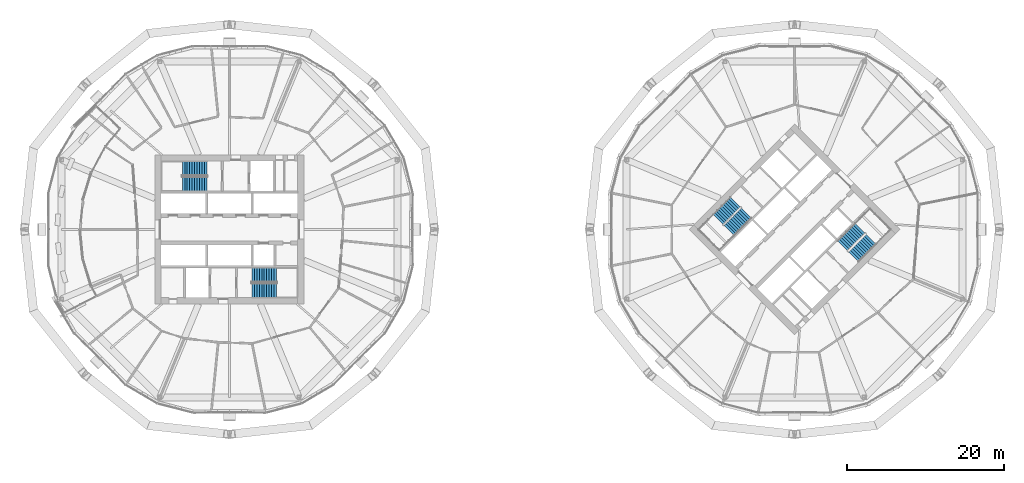
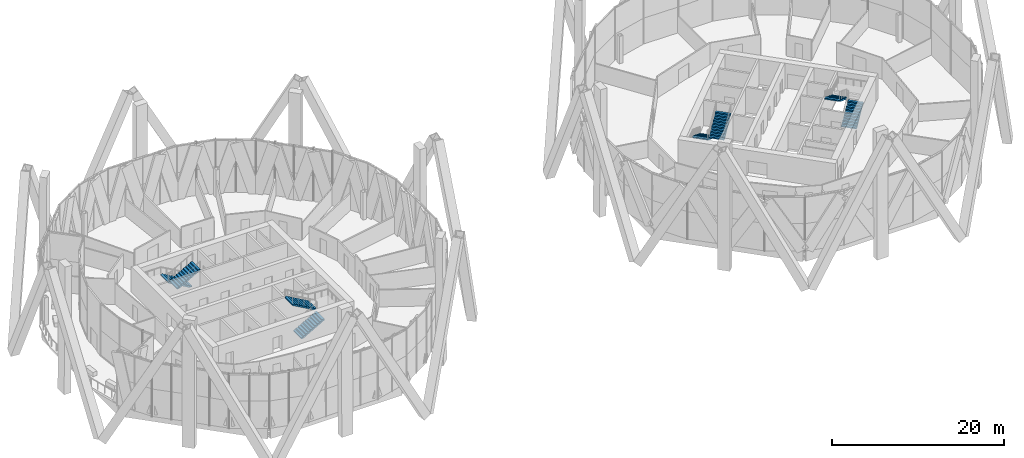
# One storey, part 26 of 30: 8 stair flights, 4 elements without a shape of their own.
"""IFC4 building model written with IfcOpenShell, lengths in metres."""

import ifcopenshell
import ifcopenshell.guid

model = None  # the IFC model being written
_history = None  # IfcOwnerHistory: only IFC2X3 demands one
_inside = {}  # id of a spatial element -> (the spatial element, [elements in it])
_under = {}  # id of a project, library or spatial element -> (it, [spatial elements below it])
_declared = {}  # id of a project -> (the project, [libraries it declares])
_typed = {}  # id of a type object -> (the type object, [elements of that type])
_made_of = {}  # id of a material, layer set ... -> (it, [elements and type objects made of it])


def new_model(schema):
    """Start an empty IFC model of exactly this schema.

    Asked for "IFC4X3", IfcOpenShell would pick the latest addendum, in which some entities
    have other attributes; the version numbers below select the first issue.
    IFC2X3 requires an IfcOwnerHistory on every rooted entity: one is made here for all.
    """
    global model, _history
    if schema == "IFC4X3":
        model = ifcopenshell.file(schema_version=(4, 3, 0, 0))
    else:
        model = ifcopenshell.file(schema=schema)
    _inside.clear()
    _under.clear()
    _declared.clear()
    _typed.clear()
    _made_of.clear()
    _history = None
    if model.schema == "IFC2X3":
        org = make("IfcOrganization", Name="unknown")
        user = make(
            "IfcPersonAndOrganization",
            ThePerson=make("IfcPerson", FamilyName="unknown"),
            TheOrganization=org,
        )
        app = make(
            "IfcApplication",
            ApplicationDeveloper=org,
            Version="unknown",
            ApplicationFullName="unknown",
            ApplicationIdentifier="unknown",
        )
        _history = make(
            "IfcOwnerHistory",
            OwningUser=user,
            OwningApplication=app,
            ChangeAction="ADDED",
            CreationDate=0,
        )
    return model


def make(cls, **values):
    """One entity of the class cls with the attributes given. An attribute that is None is left unset."""
    return model.create_entity(
        cls, **{name: value for name, value in values.items() if value is not None}
    )


def rooted(cls, **values):
    """An entity with a GlobalId (a new one), such as an element, a storey or a relation."""
    return make(cls, GlobalId=ifcopenshell.guid.new(), OwnerHistory=_history, **values)


def si_unit(unit_type, name, prefix=None):
    """IfcSIUnit, for example si_unit("LENGTHUNIT", "METRE", prefix="MILLI")."""
    return make("IfcSIUnit", UnitType=unit_type, Prefix=prefix, Name=name)


def assignment(units):
    """IfcUnitAssignment: the units of a project."""
    return None if units is None else make("IfcUnitAssignment", Units=units)


def point(xyz):
    """IfcCartesianPoint."""
    return None if xyz is None else make("IfcCartesianPoint", Coordinates=xyz)


def direction(xyz):
    """IfcDirection."""
    return None if xyz is None else make("IfcDirection", DirectionRatios=xyz)


def frame(location, z_axis=None, x_axis=None):
    """IfcAxis2Placement3D, a coordinate frame: its origin and axes. An axis left out is left unset."""
    return make(
        "IfcAxis2Placement3D",
        Location=point(location),
        Axis=direction(z_axis),
        RefDirection=direction(x_axis),
    )


def origin():
    """The frame at (0, 0, 0) with its axes left unset."""
    return frame((0.0, 0.0, 0.0))


def place(relative_to, where):
    """IfcLocalPlacement: puts the frame where relative to a parent placement (None: the world)."""
    return make(
        "IfcLocalPlacement", PlacementRelTo=relative_to, RelativePlacement=where
    )


def context(
    kind, dimensions, precision=None, world=None, true_north=None, identifier=None
):
    """IfcGeometricRepresentationContext, for example the 3D "Model" context."""
    return make(
        "IfcGeometricRepresentationContext",
        ContextIdentifier=identifier,
        ContextType=kind,
        CoordinateSpaceDimension=dimensions,
        Precision=precision,
        WorldCoordinateSystem=world,
        TrueNorth=true_north,
    )


def subcontext(parent, identifier, kind, view, scale=None):
    """IfcGeometricRepresentationSubContext, for example "Body" below "Model"."""
    return make(
        "IfcGeometricRepresentationSubContext",
        ContextIdentifier=identifier,
        ContextType=kind,
        ParentContext=parent,
        TargetScale=scale,
        TargetView=view,
    )


def project(units=None, contexts=None):
    """IfcProject with its units and contexts."""
    return rooted(
        "IfcProject",
        Name="project",
        RepresentationContexts=contexts,
        UnitsInContext=assignment(units),
    )


def spatial(cls, under=None, at=None, **own):
    """A site, building, storey or space (cls), placed at a placement, below another one or the project."""
    s = rooted(cls, ObjectPlacement=at, **own)
    if under is not None:
        _under.setdefault(under.id(), (under, []))[1].append(s)
    return s


def polyline(points):
    """IfcPolyline through the points."""
    return make("IfcPolyline", Points=[point(p) for p in points])


def outline(outer, holes=None, kind="AREA"):
    """IfcArbitraryClosedProfileDef: a profile drawn as a closed curve; with holes, ...WithVoids."""
    if holes is None:
        return make("IfcArbitraryClosedProfileDef", ProfileType=kind, OuterCurve=outer)
    return make(
        "IfcArbitraryProfileDefWithVoids",
        ProfileType=kind,
        OuterCurve=outer,
        InnerCurves=holes,
    )


def extrude(swept, where, along, depth):
    """IfcExtrudedAreaSolid: the profile swept, set in the frame where, extruded along a direction by depth."""
    return make(
        "IfcExtrudedAreaSolid",
        SweptArea=swept,
        Position=where,
        ExtrudedDirection=direction(along),
        Depth=depth,
    )


def shape(context_of_items, identifier, shape_type, items):
    """IfcShapeRepresentation: the items that make up one representation, for example the "Body"."""
    return make(
        "IfcShapeRepresentation",
        ContextOfItems=context_of_items,
        RepresentationIdentifier=identifier,
        RepresentationType=shape_type,
        Items=items,
    )


def material(Name=None, Category=None):
    """IfcMaterial."""
    return make("IfcMaterial", Name=Name, Category=Category)


def made_of(thing, what):
    """Note that an element or type object is made of a material, layer set ...; save() writes the relation."""
    if what is not None:
        _made_of.setdefault(what.id(), (what, []))[1].append(thing)
    return thing


def type_object(cls, material=None, **own):
    """A type object (cls), such as IfcWallType, which elements share."""
    return made_of(rooted(cls, **own), material)


def element(
    cls,
    number,
    at=None,
    inside=None,
    cuts=None,
    type_object=None,
    material=None,
    context=None,
    identifier="Body",
    shape_type=None,
    held_by="IfcProductDefinitionShape",
    body=None,
    shapes=None,
    **own,
):
    """One element of the class cls, such as IfcWall. Its Tag is "e" and its number.

    at: its placement. inside: the storey or other place that contains it. cuts: it is an
    opening in that element (IfcRelVoidsElement). A single representation is given by context,
    identifier, shape_type and body (its items); several are given by shapes. held_by: the class
    of the entity that holds the representations. save() writes the other relations.
    """
    e = rooted(cls, Tag="e%d" % number, ObjectPlacement=at, **own)
    if body is not None:
        shapes = [shape(context, identifier, shape_type, body)]
    if shapes is not None:
        e.Representation = make(held_by, Representations=shapes)
    if inside is not None:
        _inside.setdefault(inside.id(), (inside, []))[1].append(e)
    if cuts is not None:
        rooted(
            "IfcRelVoidsElement", RelatingBuildingElement=cuts, RelatedOpeningElement=e
        )
    if type_object is not None:
        _typed.setdefault(type_object.id(), (type_object, []))[1].append(e)
    return made_of(e, material)


def aggregate(whole, parts):
    """IfcRelAggregates: a whole, such as a stair, and the parts it consists of."""
    return rooted("IfcRelAggregates", RelatingObject=whole, RelatedObjects=parts)


def save(model, path):
    """Write the relations noted so far, then the file.

    IfcRelAggregates (storeys below a building ...), IfcRelContainedInSpatialStructure (elements
    in a storey), IfcRelDefinesByType, IfcRelAssociatesMaterial and IfcRelDeclares: one each for
    every whole, place, type object, material and project.
    """
    for whole, parts in _under.values():
        aggregate(whole, parts)
    for where, things in _inside.values():
        rooted(
            "IfcRelContainedInSpatialStructure",
            RelatedElements=things,
            RelatingStructure=where,
        )
    for kind, things in _typed.values():
        rooted("IfcRelDefinesByType", RelatedObjects=things, RelatingType=kind)
    for what, things in _made_of.values():
        rooted("IfcRelAssociatesMaterial", RelatedObjects=things, RelatingMaterial=what)
    for by, libraries in _declared.values():
        rooted("IfcRelDeclares", RelatingContext=by, RelatedDefinitions=libraries)
    model.write(path)


model = new_model("IFC4")

# Units and contexts
model_context = context("Model", 3, precision=1e-05, world=origin(), true_north=direction((0.0, 1.0)))
body_context = subcontext(model_context, "Body", "Model", "MODEL_VIEW")
ifc_project = project(units=[si_unit("LENGTHUNIT", "METRE"), si_unit("AREAUNIT", "SQUARE_METRE"), si_unit("VOLUMEUNIT", "CUBIC_METRE"), si_unit("PLANEANGLEUNIT", "RADIAN"), si_unit("MASSUNIT", "GRAM", prefix="KILO")], contexts=[model_context])

# Site, building, storey
site_placement = place(None, origin())
site = spatial("IfcSite", under=ifc_project, at=site_placement, CompositionType="ELEMENT")
building_placement = place(site_placement, origin())
building = spatial("IfcBuilding", under=site, at=building_placement, Name="Ogive Gate Towers", CompositionType="ELEMENT")
storey_placement = place(building_placement, frame((0.0, 0.0, 99.60009765625)))
storey = spatial("IfcBuildingStorey", under=building, at=storey_placement, Name="L23", CompositionType="ELEMENT", Elevation=99.60009765625)

# Stair, stair flights
ifc_material = material(Name="Concrete C40/50", Category="concrete")
stair_type = type_object("IfcStairType", Name="Escape stair 1840 wide", PredefinedType="HALF_TURN_STAIR", material=ifc_material)
stair_1_placement = place(storey_placement, origin())
stair_1 = element("IfcStair", 1, at=stair_1_placement, inside=storey, type_object=stair_type, Name="L23 Escape stair 1", PredefinedType="HALF_TURN_STAIR")
stair_flight_type = type_object("IfcStairFlightType", Name="Stair flight 1840 wide", PredefinedType="STRAIGHT", material=ifc_material)
stair_flight_1_placement = place(storey_placement, frame((-38.864990234375, 7.780029296875, 0.0), z_axis=(0.0, 0.0, 1.0), x_axis=(-1.0, 0.0, 0.0)))
stair_flight_1 = element("IfcStairFlight", 2, at=stair_flight_1_placement, type_object=stair_flight_type, Name="ST1 flight 1", NumberOfRisers=11, NumberOfTreads=10, PredefinedType="STRAIGHT", RiserHeight=0.177272727, TreadLength=0.313636364, context=body_context, shape_type="SweptSolid", body=[
    extrude(outline(polyline([(0.0, 0.0), (0.0, 0.17724609375), (0.313720703125, 0.17724609375), (0.313720703125, 0.3544921875), (0.627197265625, 0.3544921875), (0.627197265625, 0.53173828125), (0.94091796875, 0.53173828125), (0.94091796875, 0.708984375), (1.254638671875, 0.708984375), (1.254638671875, 0.886474609375), (1.568115234375, 0.886474609375), (1.568115234375, 1.063720703125), (1.8818359375, 1.063720703125), (1.8818359375, 1.240966796875), (2.195556640625, 1.240966796875), (2.195556640625, 1.418212890625), (2.509033203125, 1.418212890625), (2.509033203125, 1.595458984375), (2.82275390625, 1.595458984375), (2.82275390625, 1.772705078125), (3.136474609375, 1.772705078125), (3.136474609375, 1.949951171875), (3.136474609375, 1.6005859375), (0.3046875, 0.0), (0.0, 0.0)])), frame((0.0, 0.919921875, 0.0), z_axis=(0.0, -1.0, 0.0), x_axis=(1.0, 0.0, 0.0)), (0.0, 0.0, 1.0), 1.840087890625),
])
stair_flight_2_placement = place(storey_placement, frame((-42.00146484375, 5.794921875, 1.949951171875), z_axis=(0.0, 0.0, 1.0), x_axis=(1.0, 0.0, 0.0)))
stair_flight_2 = element("IfcStairFlight", 3, at=stair_flight_2_placement, type_object=stair_flight_type, Name="ST1 flight 2", NumberOfRisers=11, NumberOfTreads=10, PredefinedType="STRAIGHT", RiserHeight=0.177272727, TreadLength=0.313636364, context=body_context, shape_type="SweptSolid", body=[
    extrude(outline(polyline([(0.0, 0.0), (0.0, 0.17724609375), (0.313720703125, 0.17724609375), (0.313720703125, 0.3544921875), (0.627197265625, 0.3544921875), (0.627197265625, 0.53173828125), (0.94091796875, 0.53173828125), (0.94091796875, 0.708984375), (1.254638671875, 0.708984375), (1.254638671875, 0.886474609375), (1.568115234375, 0.886474609375), (1.568115234375, 1.063720703125), (1.8818359375, 1.063720703125), (1.8818359375, 1.240966796875), (2.195556640625, 1.240966796875), (2.195556640625, 1.418212890625), (2.509033203125, 1.418212890625), (2.509033203125, 1.595458984375), (2.82275390625, 1.595458984375), (2.82275390625, 1.772705078125), (3.136474609375, 1.772705078125), (3.136474609375, 1.949951171875), (3.136474609375, 1.6005859375), (0.3046875, 0.0), (0.0, 0.0)])), frame((0.0, 0.919921875, 0.0), z_axis=(0.0, -1.0, 0.0), x_axis=(1.0, 0.0, 0.0)), (0.0, 0.0, 1.0), 1.840087890625),
])
aggregate(stair_1, [stair_flight_1, stair_flight_2])

stair_2_placement = place(storey_placement, origin())
stair_2 = element("IfcStair", 4, at=stair_2_placement, inside=storey, type_object=stair_type, Name="L23 Escape stair 2", PredefinedType="HALF_TURN_STAIR")
stair_flight_3_placement = place(storey_placement, frame((-33.135009765625, -7.780029296875, 0.0), z_axis=(0.0, 0.0, 1.0), x_axis=(1.0, 0.0, 0.0)))
stair_flight_3 = element("IfcStairFlight", 5, at=stair_flight_3_placement, type_object=stair_flight_type, Name="ST2 flight 1", NumberOfRisers=11, NumberOfTreads=10, PredefinedType="STRAIGHT", RiserHeight=0.177272727, TreadLength=0.313636364, context=body_context, shape_type="SweptSolid", body=[
    extrude(outline(polyline([(0.0, 0.0), (0.0, 0.17724609375), (0.313720703125, 0.17724609375), (0.313720703125, 0.3544921875), (0.627197265625, 0.3544921875), (0.627197265625, 0.53173828125), (0.94091796875, 0.53173828125), (0.94091796875, 0.708984375), (1.254638671875, 0.708984375), (1.254638671875, 0.886474609375), (1.568115234375, 0.886474609375), (1.568115234375, 1.063720703125), (1.8818359375, 1.063720703125), (1.8818359375, 1.240966796875), (2.195556640625, 1.240966796875), (2.195556640625, 1.418212890625), (2.509033203125, 1.418212890625), (2.509033203125, 1.595458984375), (2.82275390625, 1.595458984375), (2.82275390625, 1.772705078125), (3.136474609375, 1.772705078125), (3.136474609375, 1.949951171875), (3.136474609375, 1.6005859375), (0.3046875, 0.0), (0.0, 0.0)])), frame((0.0, 0.919921875, 0.0), z_axis=(0.0, -1.0, 0.0), x_axis=(1.0, 0.0, 0.0)), (0.0, 0.0, 1.0), 1.840087890625),
])
stair_flight_4_placement = place(storey_placement, frame((-29.99853515625, -5.794921875, 1.949951171875), z_axis=(0.0, 0.0, 1.0), x_axis=(-1.0, 0.0, 0.0)))
stair_flight_4 = element("IfcStairFlight", 6, at=stair_flight_4_placement, type_object=stair_flight_type, Name="ST2 flight 2", NumberOfRisers=11, NumberOfTreads=10, PredefinedType="STRAIGHT", RiserHeight=0.177272727, TreadLength=0.313636364, context=body_context, shape_type="SweptSolid", body=[
    extrude(outline(polyline([(0.0, 0.0), (0.0, 0.17724609375), (0.313720703125, 0.17724609375), (0.313720703125, 0.3544921875), (0.627197265625, 0.3544921875), (0.627197265625, 0.53173828125), (0.94091796875, 0.53173828125), (0.94091796875, 0.708984375), (1.254638671875, 0.708984375), (1.254638671875, 0.886474609375), (1.568115234375, 0.886474609375), (1.568115234375, 1.063720703125), (1.8818359375, 1.063720703125), (1.8818359375, 1.240966796875), (2.195556640625, 1.240966796875), (2.195556640625, 1.418212890625), (2.509033203125, 1.418212890625), (2.509033203125, 1.595458984375), (2.82275390625, 1.595458984375), (2.82275390625, 1.772705078125), (3.136474609375, 1.772705078125), (3.136474609375, 1.949951171875), (3.136474609375, 1.6005859375), (0.3046875, 0.0), (0.0, 0.0)])), frame((0.0, 0.919921875, 0.0), z_axis=(0.0, -1.0, 0.0), x_axis=(1.0, 0.0, 0.0)), (0.0, 0.0, 1.0), 1.840087890625),
])
aggregate(stair_2, [stair_flight_3, stair_flight_4])

stair_3_placement = place(storey_placement, origin())
stair_3 = element("IfcStair", 7, at=stair_3_placement, inside=storey, type_object=stair_type, Name="L23 Escape stair 1", PredefinedType="HALF_TURN_STAIR")
stair_flight_5_placement = place(storey_placement, frame((28.472900390625, 3.475341796875, 0.0), z_axis=(0.0, 0.0, 1.0), x_axis=(-0.707106781187, -0.707106781187, 0.0)))
stair_flight_5 = element("IfcStairFlight", 8, at=stair_flight_5_placement, type_object=stair_flight_type, Name="ST1 flight 1", NumberOfRisers=11, NumberOfTreads=10, PredefinedType="STRAIGHT", RiserHeight=0.177272727, TreadLength=0.313636364, context=body_context, shape_type="SweptSolid", body=[
    extrude(outline(polyline([(0.0, 0.0), (0.0, 0.17724609375), (0.313720703125, 0.17724609375), (0.313720703125, 0.3544921875), (0.627197265625, 0.3544921875), (0.627197265625, 0.53173828125), (0.94091796875, 0.53173828125), (0.94091796875, 0.708984375), (1.254638671875, 0.708984375), (1.254638671875, 0.886474609375), (1.568115234375, 0.886474609375), (1.568115234375, 1.063720703125), (1.8818359375, 1.063720703125), (1.8818359375, 1.240966796875), (2.195556640625, 1.240966796875), (2.195556640625, 1.418212890625), (2.509033203125, 1.418212890625), (2.509033203125, 1.595458984375), (2.82275390625, 1.595458984375), (2.82275390625, 1.772705078125), (3.136474609375, 1.772705078125), (3.136474609375, 1.949951171875), (3.136474609375, 1.6005859375), (0.3046875, 0.0), (0.0, 0.0)])), frame((0.0, 0.919921875, 0.0), z_axis=(0.0, -1.0, 0.0), x_axis=(1.0, 0.0, 0.0)), (0.0, 0.0, 1.0), 1.840087890625),
])
stair_flight_6_placement = place(storey_placement, frame((27.65869140625, -0.14599609375, 1.949951171875), z_axis=(0.0, 0.0, 1.0), x_axis=(0.707106781187, 0.707106781187, 0.0)))
stair_flight_6 = element("IfcStairFlight", 9, at=stair_flight_6_placement, type_object=stair_flight_type, Name="ST1 flight 2", NumberOfRisers=11, NumberOfTreads=10, PredefinedType="STRAIGHT", RiserHeight=0.177272727, TreadLength=0.313636364, context=body_context, shape_type="SweptSolid", body=[
    extrude(outline(polyline([(0.0, 0.0), (0.0, 0.17724609375), (0.313720703125, 0.17724609375), (0.313720703125, 0.3544921875), (0.627197265625, 0.3544921875), (0.627197265625, 0.53173828125), (0.94091796875, 0.53173828125), (0.94091796875, 0.708984375), (1.254638671875, 0.708984375), (1.254638671875, 0.886474609375), (1.568115234375, 0.886474609375), (1.568115234375, 1.063720703125), (1.8818359375, 1.063720703125), (1.8818359375, 1.240966796875), (2.195556640625, 1.240966796875), (2.195556640625, 1.418212890625), (2.509033203125, 1.418212890625), (2.509033203125, 1.595458984375), (2.82275390625, 1.595458984375), (2.82275390625, 1.772705078125), (3.136474609375, 1.772705078125), (3.136474609375, 1.949951171875), (3.136474609375, 1.6005859375), (0.3046875, 0.0), (0.0, 0.0)])), frame((0.0, 0.919921875, 0.0), z_axis=(0.0, -1.0, 0.0), x_axis=(1.0, 0.0, 0.0)), (0.0, 0.0, 1.0), 1.840087890625),
])
aggregate(stair_3, [stair_flight_5, stair_flight_6])

stair_4_placement = place(storey_placement, origin())
stair_4 = element("IfcStair", 10, at=stair_4_placement, inside=storey, type_object=stair_type, Name="L23 Escape stair 2", PredefinedType="HALF_TURN_STAIR")
stair_flight_7_placement = place(storey_placement, frame((43.527099609375, -3.475341796875, 0.0), z_axis=(0.0, 0.0, 1.0), x_axis=(0.707106781187, 0.707106781187, 0.0)))
stair_flight_7 = element("IfcStairFlight", 11, at=stair_flight_7_placement, type_object=stair_flight_type, Name="ST2 flight 1", NumberOfRisers=11, NumberOfTreads=10, PredefinedType="STRAIGHT", RiserHeight=0.177272727, TreadLength=0.313636364, context=body_context, shape_type="SweptSolid", body=[
    extrude(outline(polyline([(0.0, 0.0), (0.0, 0.17724609375), (0.313720703125, 0.17724609375), (0.313720703125, 0.3544921875), (0.627197265625, 0.3544921875), (0.627197265625, 0.53173828125), (0.94091796875, 0.53173828125), (0.94091796875, 0.708984375), (1.254638671875, 0.708984375), (1.254638671875, 0.886474609375), (1.568115234375, 0.886474609375), (1.568115234375, 1.063720703125), (1.8818359375, 1.063720703125), (1.8818359375, 1.240966796875), (2.195556640625, 1.240966796875), (2.195556640625, 1.418212890625), (2.509033203125, 1.418212890625), (2.509033203125, 1.595458984375), (2.82275390625, 1.595458984375), (2.82275390625, 1.772705078125), (3.136474609375, 1.772705078125), (3.136474609375, 1.949951171875), (3.136474609375, 1.6005859375), (0.3046875, 0.0), (0.0, 0.0)])), frame((0.0, 0.919921875, 0.0), z_axis=(0.0, -1.0, 0.0), x_axis=(1.0, 0.0, 0.0)), (0.0, 0.0, 1.0), 1.840087890625),
])
stair_flight_8_placement = place(storey_placement, frame((44.34130859375, 0.14599609375, 1.949951171875), z_axis=(0.0, 0.0, 1.0), x_axis=(-0.707106781187, -0.707106781187, 0.0)))
stair_flight_8 = element("IfcStairFlight", 12, at=stair_flight_8_placement, type_object=stair_flight_type, Name="ST2 flight 2", NumberOfRisers=11, NumberOfTreads=10, PredefinedType="STRAIGHT", RiserHeight=0.177272727, TreadLength=0.313636364, context=body_context, shape_type="SweptSolid", body=[
    extrude(outline(polyline([(0.0, 0.0), (0.0, 0.17724609375), (0.313720703125, 0.17724609375), (0.313720703125, 0.3544921875), (0.627197265625, 0.3544921875), (0.627197265625, 0.53173828125), (0.94091796875, 0.53173828125), (0.94091796875, 0.708984375), (1.254638671875, 0.708984375), (1.254638671875, 0.886474609375), (1.568115234375, 0.886474609375), (1.568115234375, 1.063720703125), (1.8818359375, 1.063720703125), (1.8818359375, 1.240966796875), (2.195556640625, 1.240966796875), (2.195556640625, 1.418212890625), (2.509033203125, 1.418212890625), (2.509033203125, 1.595458984375), (2.82275390625, 1.595458984375), (2.82275390625, 1.772705078125), (3.136474609375, 1.772705078125), (3.136474609375, 1.949951171875), (3.136474609375, 1.6005859375), (0.3046875, 0.0), (0.0, 0.0)])), frame((0.0, 0.919921875, 0.0), z_axis=(0.0, -1.0, 0.0), x_axis=(1.0, 0.0, 0.0)), (0.0, 0.0, 1.0), 1.840087890625),
])
aggregate(stair_4, [stair_flight_7, stair_flight_8])

save(model, "model.ifc")
